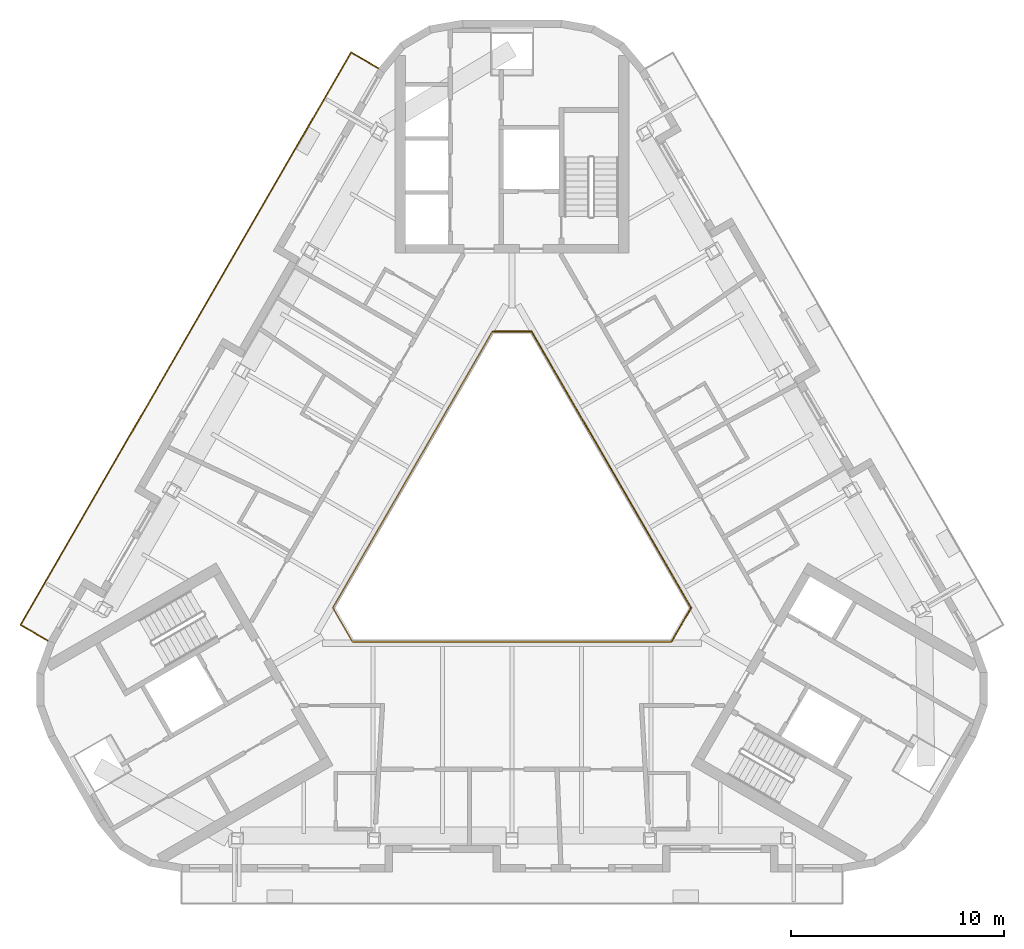
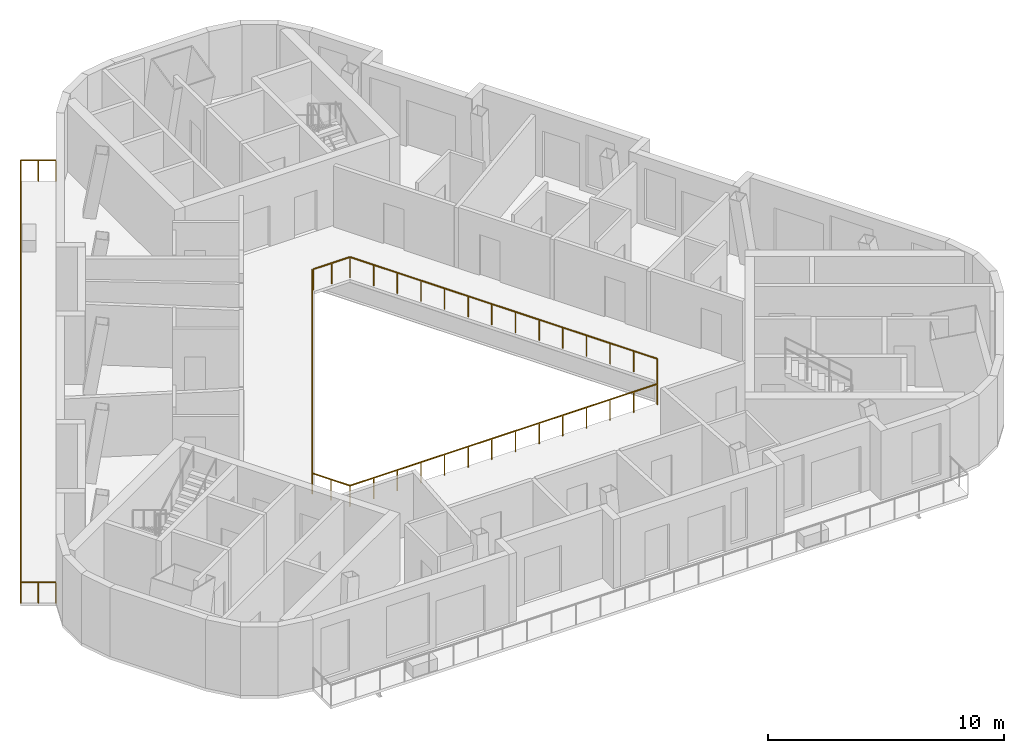
# One storey, part 9 of 11: 3 railings.
"""IFC4 building model written with IfcOpenShell, lengths in metres."""

from ifc_helpers import new_model, si_unit, direction, frame, origin, origin_2d, place, context, subcontext, project, spatial, rectangle, extrude, material, type_object, element, save


model = new_model("IFC4")

# Units and contexts
model_context = context("Model", 3, precision=1e-05, world=origin(), true_north=direction((0.0, 1.0)))
body_context = subcontext(model_context, "Body", "Model", "MODEL_VIEW")
ifc_project = project(units=[si_unit("LENGTHUNIT", "METRE"), si_unit("AREAUNIT", "SQUARE_METRE"), si_unit("VOLUMEUNIT", "CUBIC_METRE"), si_unit("PLANEANGLEUNIT", "RADIAN"), si_unit("MASSUNIT", "GRAM", prefix="KILO")], contexts=[model_context])

# Site, building, storey
site_placement = place(None, origin())
site = spatial("IfcSite", under=ifc_project, at=site_placement, CompositionType="ELEMENT")
building_placement = place(site_placement, origin())
building = spatial("IfcBuilding", under=site, at=building_placement, Name="Apuvela Tower Hotel", CompositionType="ELEMENT")
storey_placement = place(building_placement, frame((0.0, 0.0, 320.699951171875)))
storey = spatial("IfcBuildingStorey", under=building, at=storey_placement, Name="L80", CompositionType="ELEMENT", Elevation=320.699951171875)

# Railings
ifc_material = material(Name="Stainless steel 316 rail with laminated glass infill", Category="steel")
railing_type = type_object("IfcRailingType", Name="ENV-GUARD-1100", PredefinedType="GUARDRAIL", material=ifc_material)
railing_1_placement = place(storey_placement, frame((-6.276123046875, 21.584228515625, 0.0)))
element("IfcRailing", 1, at=railing_1_placement, inside=storey, type_object=railing_type, Name="Balcony guard NW L80", PredefinedType="GUARDRAIL", context=body_context, shape_type="SweptSolid", body=[
    extrude(rectangle(XDim=0.050048828125, YDim=0.050048828125, at=origin_2d()), frame((0.0, 0.0, 1.0751953125), z_axis=(-0.866031096941, 0.499990139034, 0.0), x_axis=(-0.499990139034, -0.866031096941, 0.0)), (0.0, 0.0, 1.0), 1.5),
    extrude(rectangle(XDim=0.050048828125, YDim=0.050048828125, at=origin_2d()), frame((-1.299072265625, 0.75, 1.0751953125), z_axis=(-0.500002341412, -0.866024051966, 0.0), x_axis=(0.866024051966, -0.500002341412, 0.0)), (0.0, 0.0, 1.0), 31.108642578125),
    extrude(rectangle(XDim=0.050048828125, YDim=0.050048828125, at=origin_2d()), frame((-16.853515625, -26.19091796875, 1.0751953125), z_axis=(0.866031096941, -0.499990139034, 0.0), x_axis=(0.499990139034, 0.866031096941, 0.0)), (0.0, 0.0, 1.0), 1.5),
    extrude(rectangle(XDim=0.0400390625, YDim=0.0400390625, at=origin_2d()), origin(), (0.0, 0.0, 1.0), 1.050048828125),
    extrude(rectangle(XDim=0.0400390625, YDim=0.0400390625, at=origin_2d()), frame((-0.6494140625, 0.375, 0.0)), (0.0, 0.0, 1.0), 1.050048828125),
    extrude(rectangle(XDim=0.0400390625, YDim=0.0400390625, at=origin_2d()), frame((-1.299072265625, 0.75, 0.0)), (0.0, 0.0, 1.0), 1.050048828125),
    extrude(rectangle(XDim=0.0400390625, YDim=0.0400390625, at=origin_2d()), frame((-1.897216796875, -0.2861328125, 0.0)), (0.0, 0.0, 1.0), 1.050048828125),
    extrude(rectangle(XDim=0.0400390625, YDim=0.0400390625, at=origin_2d()), frame((-2.49560546875, -1.322265625, 0.0)), (0.0, 0.0, 1.0), 1.050048828125),
    extrude(rectangle(XDim=0.0400390625, YDim=0.0400390625, at=origin_2d()), frame((-3.09375, -2.358642578125, 0.0)), (0.0, 0.0, 1.0), 1.050048828125),
    extrude(rectangle(XDim=0.0400390625, YDim=0.0400390625, at=origin_2d()), frame((-3.692138671875, -3.394775390625, 0.0)), (0.0, 0.0, 1.0), 1.050048828125),
    extrude(rectangle(XDim=0.0400390625, YDim=0.0400390625, at=origin_2d()), frame((-4.290283203125, -4.430908203125, 0.0)), (0.0, 0.0, 1.0), 1.050048828125),
    extrude(rectangle(XDim=0.0400390625, YDim=0.0400390625, at=origin_2d()), frame((-4.888671875, -5.467041015625, 0.0)), (0.0, 0.0, 1.0), 1.050048828125),
    extrude(rectangle(XDim=0.0400390625, YDim=0.0400390625, at=origin_2d()), frame((-5.48681640625, -6.50341796875, 0.0)), (0.0, 0.0, 1.0), 1.050048828125),
    extrude(rectangle(XDim=0.0400390625, YDim=0.0400390625, at=origin_2d()), frame((-6.0849609375, -7.53955078125, 0.0)), (0.0, 0.0, 1.0), 1.050048828125),
    extrude(rectangle(XDim=0.0400390625, YDim=0.0400390625, at=origin_2d()), frame((-6.683349609375, -8.57568359375, 0.0)), (0.0, 0.0, 1.0), 1.050048828125),
    extrude(rectangle(XDim=0.0400390625, YDim=0.0400390625, at=origin_2d()), frame((-7.281494140625, -9.61181640625, 0.0)), (0.0, 0.0, 1.0), 1.050048828125),
    extrude(rectangle(XDim=0.0400390625, YDim=0.0400390625, at=origin_2d()), frame((-7.8798828125, -10.648193359375, 0.0)), (0.0, 0.0, 1.0), 1.050048828125),
    extrude(rectangle(XDim=0.0400390625, YDim=0.0400390625, at=origin_2d()), frame((-8.47802734375, -11.684326171875, 0.0)), (0.0, 0.0, 1.0), 1.050048828125),
    extrude(rectangle(XDim=0.0400390625, YDim=0.0400390625, at=origin_2d()), frame((-9.076171875, -12.720458984375, 0.0)), (0.0, 0.0, 1.0), 1.050048828125),
    extrude(rectangle(XDim=0.0400390625, YDim=0.0400390625, at=origin_2d()), frame((-9.674560546875, -13.756591796875, 0.0)), (0.0, 0.0, 1.0), 1.050048828125),
    extrude(rectangle(XDim=0.0400390625, YDim=0.0400390625, at=origin_2d()), frame((-10.272705078125, -14.792724609375, 0.0)), (0.0, 0.0, 1.0), 1.050048828125),
    extrude(rectangle(XDim=0.0400390625, YDim=0.0400390625, at=origin_2d()), frame((-10.87109375, -15.8291015625, 0.0)), (0.0, 0.0, 1.0), 1.050048828125),
    extrude(rectangle(XDim=0.0400390625, YDim=0.0400390625, at=origin_2d()), frame((-11.46923828125, -16.865234375, 0.0)), (0.0, 0.0, 1.0), 1.050048828125),
    extrude(rectangle(XDim=0.0400390625, YDim=0.0400390625, at=origin_2d()), frame((-12.067626953125, -17.9013671875, 0.0)), (0.0, 0.0, 1.0), 1.050048828125),
    extrude(rectangle(XDim=0.0400390625, YDim=0.0400390625, at=origin_2d()), frame((-12.665771484375, -18.9375, 0.0)), (0.0, 0.0, 1.0), 1.050048828125),
    extrude(rectangle(XDim=0.0400390625, YDim=0.0400390625, at=origin_2d()), frame((-13.263916015625, -19.973876953125, 0.0)), (0.0, 0.0, 1.0), 1.050048828125),
    extrude(rectangle(XDim=0.0400390625, YDim=0.0400390625, at=origin_2d()), frame((-13.8623046875, -21.010009765625, 0.0)), (0.0, 0.0, 1.0), 1.050048828125),
    extrude(rectangle(XDim=0.0400390625, YDim=0.0400390625, at=origin_2d()), frame((-14.46044921875, -22.046142578125, 0.0)), (0.0, 0.0, 1.0), 1.050048828125),
    extrude(rectangle(XDim=0.0400390625, YDim=0.0400390625, at=origin_2d()), frame((-15.058837890625, -23.082275390625, 0.0)), (0.0, 0.0, 1.0), 1.050048828125),
    extrude(rectangle(XDim=0.0400390625, YDim=0.0400390625, at=origin_2d()), frame((-15.656982421875, -24.11865234375, 0.0)), (0.0, 0.0, 1.0), 1.050048828125),
    extrude(rectangle(XDim=0.0400390625, YDim=0.0400390625, at=origin_2d()), frame((-16.25537109375, -25.15478515625, 0.0)), (0.0, 0.0, 1.0), 1.050048828125),
    extrude(rectangle(XDim=0.0400390625, YDim=0.0400390625, at=origin_2d()), frame((-16.853515625, -26.19091796875, 0.0)), (0.0, 0.0, 1.0), 1.050048828125),
    extrude(rectangle(XDim=0.0400390625, YDim=0.0400390625, at=origin_2d()), frame((-16.2041015625, -26.56591796875, 0.0)), (0.0, 0.0, 1.0), 1.050048828125),
    extrude(rectangle(XDim=0.0400390625, YDim=0.0400390625, at=origin_2d()), frame((-15.554443359375, -26.94091796875, 0.0)), (0.0, 0.0, 1.0), 1.050048828125),
])
railing_2_placement = place(storey_placement, frame((-0.923828125, 9.199951171875, 0.0)))
element("IfcRailing", 2, at=railing_2_placement, inside=storey, type_object=railing_type, Name="Atrium void guard A L80", PredefinedType="GUARDRAIL", context=body_context, shape_type="SweptSolid", body=[
    extrude(rectangle(XDim=0.050048828125, YDim=0.050048828125, at=origin_2d()), frame((0.0, 0.0, 1.0751953125), z_axis=(-0.499990886379, -0.866030665472, 0.0), x_axis=(0.866030665472, -0.499990886379, 0.0)), (0.0, 0.0, 1.0), 15.010986328125),
    extrude(rectangle(XDim=0.050048828125, YDim=0.050048828125, at=origin_2d()), frame((-7.50537109375, -13.0, 1.0751953125), z_axis=(0.499962699187, -0.866046938348, 0.0), x_axis=(0.866046938348, 0.499962699187, 0.0)), (0.0, 0.0, 1.0), 1.847412109375),
    extrude(rectangle(XDim=0.050048828125, YDim=0.050048828125, at=origin_2d()), frame((-6.581787109375, -14.599853515625, 1.0751953125), z_axis=(1.0, 0.0, 0.0), x_axis=(0.0, 1.0, 0.0)), (0.0, 0.0, 1.0), 15.01123046875),
    extrude(rectangle(XDim=0.0400390625, YDim=0.0400390625, at=origin_2d()), origin(), (0.0, 0.0, 1.0), 1.050048828125),
    extrude(rectangle(XDim=0.0400390625, YDim=0.0400390625, at=origin_2d()), frame((-0.577392578125, -1.0, 0.0)), (0.0, 0.0, 1.0), 1.050048828125),
    extrude(rectangle(XDim=0.0400390625, YDim=0.0400390625, at=origin_2d()), frame((-1.15478515625, -2.0, 0.0)), (0.0, 0.0, 1.0), 1.050048828125),
    extrude(rectangle(XDim=0.0400390625, YDim=0.0400390625, at=origin_2d()), frame((-1.73193359375, -3.0, 0.0)), (0.0, 0.0, 1.0), 1.050048828125),
    extrude(rectangle(XDim=0.0400390625, YDim=0.0400390625, at=origin_2d()), frame((-2.309326171875, -4.0, 0.0)), (0.0, 0.0, 1.0), 1.050048828125),
    extrude(rectangle(XDim=0.0400390625, YDim=0.0400390625, at=origin_2d()), frame((-2.88671875, -5.0, 0.0)), (0.0, 0.0, 1.0), 1.050048828125),
    extrude(rectangle(XDim=0.0400390625, YDim=0.0400390625, at=origin_2d()), frame((-3.464111328125, -6.0, 0.0)), (0.0, 0.0, 1.0), 1.050048828125),
    extrude(rectangle(XDim=0.0400390625, YDim=0.0400390625, at=origin_2d()), frame((-4.041259765625, -7.0, 0.0)), (0.0, 0.0, 1.0), 1.050048828125),
    extrude(rectangle(XDim=0.0400390625, YDim=0.0400390625, at=origin_2d()), frame((-4.61865234375, -8.0, 0.0)), (0.0, 0.0, 1.0), 1.050048828125),
    extrude(rectangle(XDim=0.0400390625, YDim=0.0400390625, at=origin_2d()), frame((-5.196044921875, -9.0, 0.0)), (0.0, 0.0, 1.0), 1.050048828125),
    extrude(rectangle(XDim=0.0400390625, YDim=0.0400390625, at=origin_2d()), frame((-5.7734375, -10.0, 0.0)), (0.0, 0.0, 1.0), 1.050048828125),
    extrude(rectangle(XDim=0.0400390625, YDim=0.0400390625, at=origin_2d()), frame((-6.3505859375, -11.0, 0.0)), (0.0, 0.0, 1.0), 1.050048828125),
    extrude(rectangle(XDim=0.0400390625, YDim=0.0400390625, at=origin_2d()), frame((-6.927978515625, -12.0, 0.0)), (0.0, 0.0, 1.0), 1.050048828125),
    extrude(rectangle(XDim=0.0400390625, YDim=0.0400390625, at=origin_2d()), frame((-7.50537109375, -13.0, 0.0)), (0.0, 0.0, 1.0), 1.050048828125),
    extrude(rectangle(XDim=0.0400390625, YDim=0.0400390625, at=origin_2d()), frame((-7.04345703125, -13.7998046875, 0.0)), (0.0, 0.0, 1.0), 1.050048828125),
    extrude(rectangle(XDim=0.0400390625, YDim=0.0400390625, at=origin_2d()), frame((-6.581787109375, -14.599853515625, 0.0)), (0.0, 0.0, 1.0), 1.050048828125),
    extrude(rectangle(XDim=0.0400390625, YDim=0.0400390625, at=origin_2d()), frame((-5.427001953125, -14.599853515625, 0.0)), (0.0, 0.0, 1.0), 1.050048828125),
    extrude(rectangle(XDim=0.0400390625, YDim=0.0400390625, at=origin_2d()), frame((-4.2724609375, -14.599853515625, 0.0)), (0.0, 0.0, 1.0), 1.050048828125),
    extrude(rectangle(XDim=0.0400390625, YDim=0.0400390625, at=origin_2d()), frame((-3.11767578125, -14.599853515625, 0.0)), (0.0, 0.0, 1.0), 1.050048828125),
    extrude(rectangle(XDim=0.0400390625, YDim=0.0400390625, at=origin_2d()), frame((-1.962890625, -14.599853515625, 0.0)), (0.0, 0.0, 1.0), 1.050048828125),
    extrude(rectangle(XDim=0.0400390625, YDim=0.0400390625, at=origin_2d()), frame((-0.808349609375, -14.599853515625, 0.0)), (0.0, 0.0, 1.0), 1.050048828125),
    extrude(rectangle(XDim=0.0400390625, YDim=0.0400390625, at=origin_2d()), frame((0.346435546875, -14.599853515625, 0.0)), (0.0, 0.0, 1.0), 1.050048828125),
    extrude(rectangle(XDim=0.0400390625, YDim=0.0400390625, at=origin_2d()), frame((1.501220703125, -14.599853515625, 0.0)), (0.0, 0.0, 1.0), 1.050048828125),
    extrude(rectangle(XDim=0.0400390625, YDim=0.0400390625, at=origin_2d()), frame((2.656005859375, -14.599853515625, 0.0)), (0.0, 0.0, 1.0), 1.050048828125),
    extrude(rectangle(XDim=0.0400390625, YDim=0.0400390625, at=origin_2d()), frame((3.810546875, -14.599853515625, 0.0)), (0.0, 0.0, 1.0), 1.050048828125),
    extrude(rectangle(XDim=0.0400390625, YDim=0.0400390625, at=origin_2d()), frame((4.96533203125, -14.599853515625, 0.0)), (0.0, 0.0, 1.0), 1.050048828125),
    extrude(rectangle(XDim=0.0400390625, YDim=0.0400390625, at=origin_2d()), frame((6.1201171875, -14.599853515625, 0.0)), (0.0, 0.0, 1.0), 1.050048828125),
    extrude(rectangle(XDim=0.0400390625, YDim=0.0400390625, at=origin_2d()), frame((7.274658203125, -14.599853515625, 0.0)), (0.0, 0.0, 1.0), 1.050048828125),
    extrude(rectangle(XDim=0.0400390625, YDim=0.0400390625, at=origin_2d()), frame((8.429443359375, -14.599853515625, 0.0)), (0.0, 0.0, 1.0), 1.050048828125),
])
railing_3_placement = place(storey_placement, frame((7.53564453125, -5.347900390625, 0.0)))
element("IfcRailing", 3, at=railing_3_placement, inside=storey, type_object=railing_type, Name="Atrium void guard B L80", PredefinedType="GUARDRAIL", context=body_context, shape_type="SweptSolid", body=[
    extrude(rectangle(XDim=0.050048828125, YDim=0.050048828125, at=origin_2d()), frame((0.0, 0.0, 1.0751953125), z_axis=(0.499958946799, 0.866049104564, 0.0), x_axis=(-0.866049104564, 0.499958946799, 0.0)), (0.0, 0.0, 1.0), 1.787353515625),
    extrude(rectangle(XDim=0.050048828125, YDim=0.050048828125, at=origin_2d()), frame((0.8935546875, 1.5478515625, 1.0751953125), z_axis=(-0.499990886379, 0.866030665472, 0.0), x_axis=(-0.866030665472, -0.499990886379, 0.0)), (0.0, 0.0, 1.0), 15.010986328125),
    extrude(rectangle(XDim=0.050048828125, YDim=0.050048828125, at=origin_2d()), frame((-6.61181640625, 14.5478515625, 1.0751953125), z_axis=(-1.0, 0.0, 0.0), x_axis=(0.0, -1.0, 0.0)), (0.0, 0.0, 1.0), 1.78759765625),
    extrude(rectangle(XDim=0.0400390625, YDim=0.0400390625, at=origin_2d()), origin(), (0.0, 0.0, 1.0), 1.050048828125),
    extrude(rectangle(XDim=0.0400390625, YDim=0.0400390625, at=origin_2d()), frame((0.44677734375, 0.77392578125, 0.0)), (0.0, 0.0, 1.0), 1.050048828125),
    extrude(rectangle(XDim=0.0400390625, YDim=0.0400390625, at=origin_2d()), frame((0.8935546875, 1.5478515625, 0.0)), (0.0, 0.0, 1.0), 1.050048828125),
    extrude(rectangle(XDim=0.0400390625, YDim=0.0400390625, at=origin_2d()), frame((0.316162109375, 2.5478515625, 0.0)), (0.0, 0.0, 1.0), 1.050048828125),
    extrude(rectangle(XDim=0.0400390625, YDim=0.0400390625, at=origin_2d()), frame((-0.26123046875, 3.5478515625, 0.0)), (0.0, 0.0, 1.0), 1.050048828125),
    extrude(rectangle(XDim=0.0400390625, YDim=0.0400390625, at=origin_2d()), frame((-0.83837890625, 4.5478515625, 0.0)), (0.0, 0.0, 1.0), 1.050048828125),
    extrude(rectangle(XDim=0.0400390625, YDim=0.0400390625, at=origin_2d()), frame((-1.415771484375, 5.5478515625, 0.0)), (0.0, 0.0, 1.0), 1.050048828125),
    extrude(rectangle(XDim=0.0400390625, YDim=0.0400390625, at=origin_2d()), frame((-1.9931640625, 6.5478515625, 0.0)), (0.0, 0.0, 1.0), 1.050048828125),
    extrude(rectangle(XDim=0.0400390625, YDim=0.0400390625, at=origin_2d()), frame((-2.570556640625, 7.5478515625, 0.0)), (0.0, 0.0, 1.0), 1.050048828125),
    extrude(rectangle(XDim=0.0400390625, YDim=0.0400390625, at=origin_2d()), frame((-3.147705078125, 8.5478515625, 0.0)), (0.0, 0.0, 1.0), 1.050048828125),
    extrude(rectangle(XDim=0.0400390625, YDim=0.0400390625, at=origin_2d()), frame((-3.72509765625, 9.5478515625, 0.0)), (0.0, 0.0, 1.0), 1.050048828125),
    extrude(rectangle(XDim=0.0400390625, YDim=0.0400390625, at=origin_2d()), frame((-4.302490234375, 10.5478515625, 0.0)), (0.0, 0.0, 1.0), 1.050048828125),
    extrude(rectangle(XDim=0.0400390625, YDim=0.0400390625, at=origin_2d()), frame((-4.8798828125, 11.5478515625, 0.0)), (0.0, 0.0, 1.0), 1.050048828125),
    extrude(rectangle(XDim=0.0400390625, YDim=0.0400390625, at=origin_2d()), frame((-5.45703125, 12.5478515625, 0.0)), (0.0, 0.0, 1.0), 1.050048828125),
    extrude(rectangle(XDim=0.0400390625, YDim=0.0400390625, at=origin_2d()), frame((-6.034423828125, 13.5478515625, 0.0)), (0.0, 0.0, 1.0), 1.050048828125),
    extrude(rectangle(XDim=0.0400390625, YDim=0.0400390625, at=origin_2d()), frame((-6.61181640625, 14.5478515625, 0.0)), (0.0, 0.0, 1.0), 1.050048828125),
    extrude(rectangle(XDim=0.0400390625, YDim=0.0400390625, at=origin_2d()), frame((-7.505615234375, 14.5478515625, 0.0)), (0.0, 0.0, 1.0), 1.050048828125),
    extrude(rectangle(XDim=0.0400390625, YDim=0.0400390625, at=origin_2d()), frame((-8.3994140625, 14.5478515625, 0.0)), (0.0, 0.0, 1.0), 1.050048828125),
])

save(model, "model.ifc")
